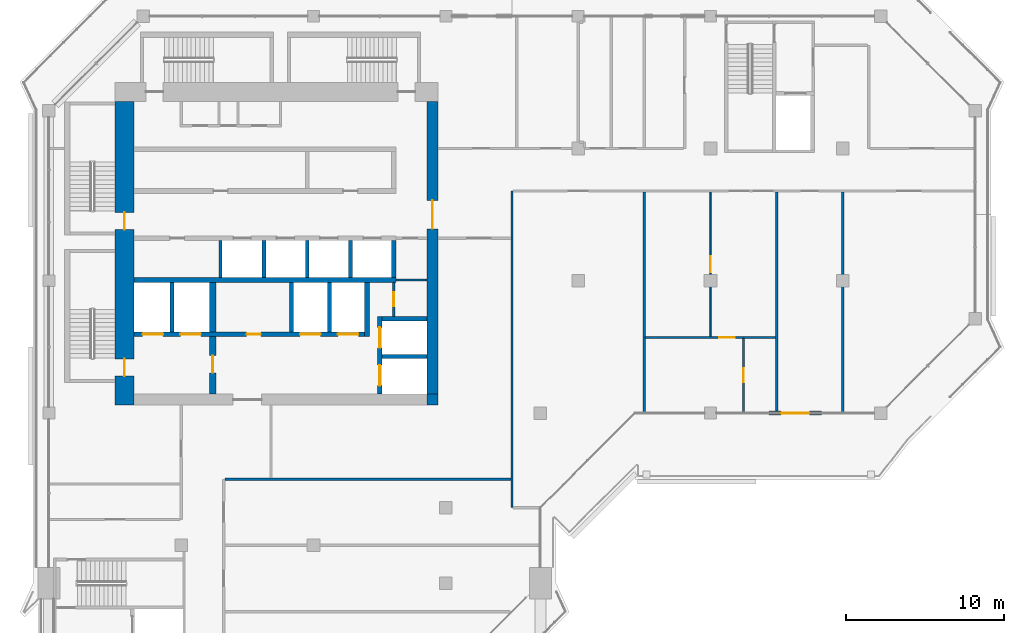
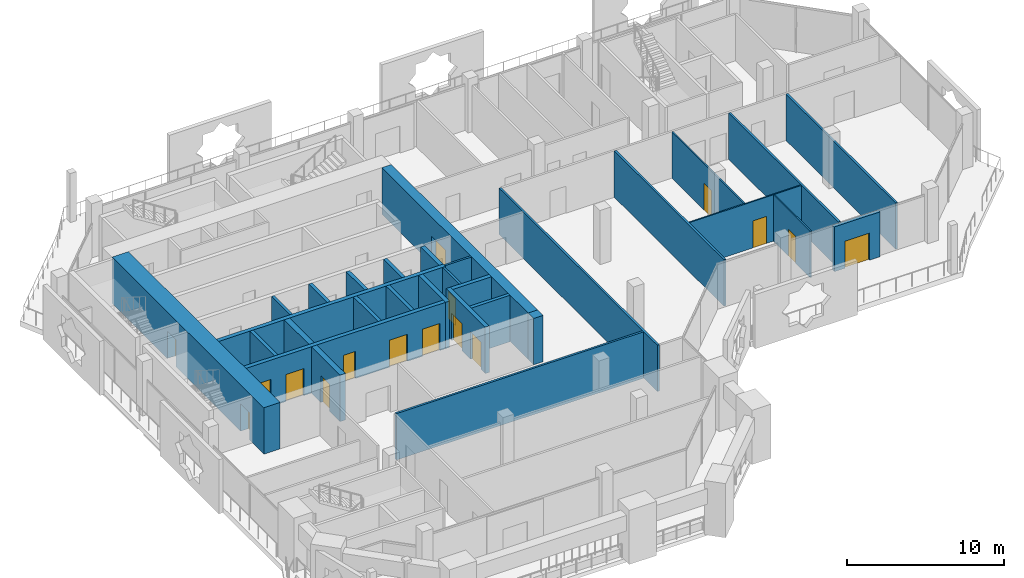
# One storey, part 11 of 20: 30 walls, 16 doors, 16 openings.
"""IFC4 building model written with IfcOpenShell, lengths in metres."""

from ifc_helpers import new_model, si_unit, direction, frame, frame_2d, origin, place, context, subcontext, project, spatial, rectangle, extrude, material, layer, layer_set, type_object, element, fill, save


model = new_model("IFC4")

# Units and contexts
model_context = context("Model", 3, precision=1e-05, world=origin(), true_north=direction((0.0, 1.0)))
body_context = subcontext(model_context, "Body", "Model", "MODEL_VIEW")
ifc_project = project(units=[si_unit("LENGTHUNIT", "METRE"), si_unit("AREAUNIT", "SQUARE_METRE"), si_unit("VOLUMEUNIT", "CUBIC_METRE"), si_unit("PLANEANGLEUNIT", "RADIAN"), si_unit("MASSUNIT", "GRAM", prefix="KILO")], contexts=[model_context])

# Site, building, storey
site_placement = place(None, origin())
site = spatial("IfcSite", under=ifc_project, at=site_placement, CompositionType="ELEMENT")
building_placement = place(site_placement, origin())
building = spatial("IfcBuilding", under=site, at=building_placement, Name="Kawkab Arch Medical Tower", CompositionType="ELEMENT")
storey_placement = place(building_placement, frame((0.0, 0.0, 290.199951171875)))
storey = spatial("IfcBuildingStorey", under=building, at=storey_placement, Name="L67", CompositionType="ELEMENT", Elevation=290.199951171875)

# Wall, openings, doors
ifc_material_1 = material(Name="Concrete C50/60", Category="concrete")
ifc_layer_1 = layer(ifc_material_1, 1.199951171875)
ifc_layer_set_1 = layer_set([ifc_layer_1], Name="Concrete C50/60")
wall_type_1 = type_object("IfcWallType", Name="Core ring wall 1200 C50/60", PredefinedType="SHEAR", material=ifc_layer_set_1)
wall_1_placement = place(storey_placement, frame((4.800048828125, -24.699951171875, 0.0), z_axis=(0.0, 0.0, 1.0), x_axis=(0.0, 1.0, 0.0)))
wall_1 = element("IfcWall", 1, at=wall_1_placement, inside=storey, type_object=wall_type_1, Name="L67 core wall", PredefinedType="SHEAR", context=body_context, shape_type="SweptSolid", body=[
    extrude(rectangle(XDim=19.300048828125, YDim=1.199951171875, at=frame_2d((9.64990234375, 0.0))), origin(), (0.0, 0.0, 1.0), 3.60009765625),
])
opening_1_placement = place(wall_1_placement, frame((11.14990234375, 0.0, 0.0)))
opening_1 = element("IfcOpeningElement", 2, at=opening_1_placement, cuts=wall_1, Name="Opening SD", PredefinedType="OPENING", context=body_context, shape_type="SweptSolid", body=[
    extrude(rectangle(XDim=1.10009765625, YDim=2.10009765625, at=frame_2d((0.550048828125, 1.050048828125))), frame((0.0, 0.60986328125, 0.0), z_axis=(0.0, -1.0, 0.0), x_axis=(1.0, 0.0, 0.0)), (0.0, 0.0, 1.0), 1.219970703125),
])
opening_2_placement = place(wall_1_placement, frame((1.85009765625, 0.0, 0.0)))
opening_2 = element("IfcOpeningElement", 3, at=opening_2_placement, cuts=wall_1, Name="Opening SD", PredefinedType="OPENING", context=body_context, shape_type="SweptSolid", body=[
    extrude(rectangle(XDim=1.10009765625, YDim=2.10009765625, at=frame_2d((0.550048828125, 1.050048828125))), frame((0.0, 0.60986328125, 0.0), z_axis=(0.0, -1.0, 0.0), x_axis=(1.0, 0.0, 0.0)), (0.0, 0.0, 1.0), 1.219970703125),
])
ifc_material_2 = material(Name="Hollow metal fire door leaf")
door_type_1 = type_object("IfcDoorType", Name="Exit stair door 1100", OperationType="SINGLE_SWING_LEFT", PredefinedType="DOOR", material=ifc_material_2)
door_1_placement = place(opening_1_placement, origin())
door_1 = element("IfcDoor", 4, at=door_1_placement, inside=storey, type_object=door_type_1, Name="L67 Exit stair ST1 door", OperationType="SINGLE_SWING_LEFT", OverallHeight=2.10009765625, OverallWidth=1.10009765625, PredefinedType="DOOR", context=body_context, shape_type="SweptSolid", body=[
    extrude(rectangle(XDim=1.10009765625, YDim=2.10009765625, at=frame_2d((0.550048828125, 1.050048828125))), frame((0.0, 0.02490234375, 0.0), z_axis=(0.0, -1.0, 0.0), x_axis=(1.0, 0.0, 0.0)), (0.0, 0.0, 1.0), 0.050048828125),
])
fill(opening_1, door_1)
door_2_placement = place(opening_2_placement, origin())
door_2 = element("IfcDoor", 5, at=door_2_placement, inside=storey, type_object=door_type_1, Name="L67 Exit stair ST2 door", OperationType="SINGLE_SWING_LEFT", OverallHeight=2.10009765625, OverallWidth=1.10009765625, PredefinedType="DOOR", context=body_context, shape_type="SweptSolid", body=[
    extrude(rectangle(XDim=1.10009765625, YDim=2.10009765625, at=frame_2d((0.550048828125, 1.050048828125))), frame((0.0, 0.02490234375, 0.0), z_axis=(0.0, -1.0, 0.0), x_axis=(1.0, 0.0, 0.0)), (0.0, 0.0, 1.0), 0.050048828125),
])
fill(opening_2, door_2)

# Wall, opening, door
ifc_material_3 = material(Name="Concrete C50/60", Category="concrete")
ifc_layer_2 = layer(ifc_material_3, 0.699951171875)
ifc_layer_set_2 = layer_set([ifc_layer_2], Name="Concrete C50/60")
wall_type_2 = type_object("IfcWallType", Name="Core ring wall 700 C50/60", PredefinedType="SHEAR", material=ifc_layer_set_2)
wall_2_placement = place(storey_placement, frame((24.35009765625, -24.0, 0.0), z_axis=(0.0, 0.0, 1.0), x_axis=(0.0, 1.0, 0.0)))
wall_2 = element("IfcWall", 6, at=wall_2_placement, inside=storey, type_object=wall_type_2, Name="L67 core wall", PredefinedType="SHEAR", context=body_context, shape_type="SweptSolid", body=[
    extrude(rectangle(XDim=18.60009765625, YDim=0.699951171875, at=frame_2d((9.300048828125, 0.0))), origin(), (0.0, 0.0, 1.0), 3.60009765625),
])
opening_3_placement = place(wall_2_placement, frame((10.5, 0.0, 0.0)))
opening_3 = element("IfcOpeningElement", 7, at=opening_3_placement, cuts=wall_2, Name="Opening PD", PredefinedType="OPENING", context=body_context, shape_type="SweptSolid", body=[
    extrude(rectangle(XDim=1.800048828125, YDim=2.10009765625, at=frame_2d((0.89990234375, 1.050048828125))), frame((0.0, 0.35986328125, 0.0), z_axis=(0.0, -1.0, 0.0), x_axis=(1.0, 0.0, 0.0)), (0.0, 0.0, 1.0), 0.719970703125),
])
ifc_material_4 = material(Name="Hollow metal fire door leaf")
door_type_2 = type_object("IfcDoorType", Name="Core entrance doors 1800", OperationType="DOUBLE_DOOR_SINGLE_SWING", PredefinedType="DOOR", material=ifc_material_4)
door_3_placement = place(opening_3_placement, origin())
door_3 = element("IfcDoor", 8, at=door_3_placement, inside=storey, type_object=door_type_2, Name="L67 East entrance doors", OperationType="DOUBLE_DOOR_SINGLE_SWING", OverallHeight=2.10009765625, OverallWidth=1.800048828125, PredefinedType="DOOR", context=body_context, shape_type="SweptSolid", body=[
    extrude(rectangle(XDim=1.800048828125, YDim=2.10009765625, at=frame_2d((0.89990234375, 1.050048828125))), frame((0.0, 0.02490234375, 0.0), z_axis=(0.0, -1.0, 0.0), x_axis=(1.0, 0.0, 0.0)), (0.0, 0.0, 1.0), 0.050048828125),
])
fill(opening_3, door_3)

# Wall
wall_3_placement = place(storey_placement, frame((24.35009765625, -24.699951171875, 0.0), z_axis=(0.0, 0.0, 1.0), x_axis=(0.0, 1.0, 0.0)))
element("IfcWall", 9, at=wall_3_placement, inside=storey, type_object=wall_type_2, Name="L67 core wall", PredefinedType="SHEAR", context=body_context, shape_type="SweptSolid", body=[
    extrude(rectangle(XDim=0.699951171875, YDim=0.699951171875, at=frame_2d((0.35009765625, 0.0))), origin(), (0.0, 0.0, 1.0), 3.60009765625),
])

# Wall, opening, door
ifc_material_5 = material(Name="Gypsum board on steel studs", Category="steel")
ifc_layer_3 = layer(ifc_material_5, 0.14990234375)
ifc_layer_set_3 = layer_set([ifc_layer_3], Name="Gypsum board on steel studs")
wall_type_3 = type_object("IfcWallType", Name="Core room partition 150", PredefinedType="PARTITIONING", material=ifc_layer_set_3)
wall_4_placement = place(storey_placement, frame((21.89990234375, -19.050048828125, 0.0), z_axis=(0.0, 0.0, 1.0), x_axis=(0.0, 1.0, 0.0)))
wall_4 = element("IfcWall", 10, at=wall_4_placement, inside=storey, type_object=wall_type_3, Name="L67 core room partition", PredefinedType="PARTITIONING", context=body_context, shape_type="SweptSolid", body=[
    extrude(rectangle(XDim=2.150146484375, YDim=0.14990234375, at=frame_2d((1.0751953125, 0.0))), origin(), (0.0, 0.0, 1.0), 3.60009765625),
])
opening_4_placement = place(wall_4_placement, frame((0.625, 0.0, 0.0)))
opening_4 = element("IfcOpeningElement", 11, at=opening_4_placement, cuts=wall_4, Name="Opening RD", PredefinedType="OPENING", context=body_context, shape_type="SweptSolid", body=[
    extrude(rectangle(XDim=0.89990234375, YDim=2.10009765625, at=frame_2d((0.449951171875, 1.050048828125))), frame((0.0, 0.0849609375, 0.0), z_axis=(0.0, -1.0, 0.0), x_axis=(1.0, 0.0, 0.0)), (0.0, 0.0, 1.0), 0.169921875),
])
ifc_material_6 = material(Name="Hollow metal fire door leaf")
door_type_3 = type_object("IfcDoorType", Name="Core room door 900", OperationType="SINGLE_SWING_LEFT", PredefinedType="DOOR", material=ifc_material_6)
door_4_placement = place(opening_4_placement, origin())
door_4 = element("IfcDoor", 12, at=door_4_placement, inside=storey, type_object=door_type_3, Name="L67 Accessible WC door", OperationType="SINGLE_SWING_LEFT", OverallHeight=2.10009765625, OverallWidth=0.89990234375, PredefinedType="DOOR", context=body_context, shape_type="SweptSolid", body=[
    extrude(rectangle(XDim=0.89990234375, YDim=2.10009765625, at=frame_2d((0.449951171875, 1.050048828125))), frame((0.0, 0.02490234375, 0.0), z_axis=(0.0, -1.0, 0.0), x_axis=(1.0, 0.0, 0.0)), (0.0, 0.0, 1.0), 0.050048828125),
])
fill(opening_4, door_4)

# Walls
wall_5_placement = place(storey_placement, frame((22.050048828125, -16.75, 0.0), z_axis=(0.0, 0.0, 1.0), x_axis=(1.0, 0.0, 0.0)))
element("IfcWall", 13, at=wall_5_placement, inside=storey, type_object=wall_type_3, Name="L67 core room partition", PredefinedType="PARTITIONING", context=body_context, shape_type="SweptSolid", body=[
    extrude(rectangle(XDim=1.949951171875, YDim=0.14990234375, at=frame_2d((0.97509765625, 0.0))), origin(), (0.0, 0.0, 1.0), 3.60009765625),
])
ifc_material_7 = material(Name="Concrete C60/75", Category="concrete")
ifc_layer_4 = layer(ifc_material_7, 0.25)
ifc_layer_set_4 = layer_set([ifc_layer_4], Name="Concrete C60/75")
wall_type_4 = type_object("IfcWallType", Name="Core shear wall 250 C60/75", PredefinedType="SHEAR", material=ifc_layer_set_4)
wall_6_placement = place(storey_placement, frame((21.14990234375, -21.60009765625, 0.0), z_axis=(0.0, 0.0, 1.0), x_axis=(1.0, 0.0, 0.0)))
element("IfcWall", 14, at=wall_6_placement, inside=storey, type_object=wall_type_4, Name="L67 core shear wall", PredefinedType="SHEAR", context=body_context, shape_type="SweptSolid", body=[
    extrude(rectangle(XDim=2.85009765625, YDim=0.25, at=frame_2d((1.425048828125, 0.0))), origin(), (0.0, 0.0, 1.0), 3.60009765625),
])
for number, where, z_axis, x_axis, name in (
    (15, (7.800048828125, -20.050048828125, 0.0), (0.0, 0.0, 1.0), (0.0, 1.0, 0.0), "L67 core shear wall"),
    (16, (15.39990234375, -20.050048828125, 0.0), (0.0, 0.0, 1.0), (0.0, 1.0, 0.0), "L67 core shear wall"),
    (17, (17.800048828125, -20.050048828125, 0.0), (0.0, 0.0, 1.0), (0.0, 1.0, 0.0), "L67 core shear wall"),
):
    element("IfcWall", number, at=place(storey_placement, frame(where, z_axis=z_axis, x_axis=x_axis)), inside=storey, type_object=wall_type_4, Name=name, PredefinedType="SHEAR", context=body_context, shape_type="SweptSolid", body=[
        extrude(rectangle(XDim=3.150146484375, YDim=0.25, at=frame_2d((1.5751953125, 0.0))), origin(), (0.0, 0.0, 1.0), 3.60009765625),
    ])
for number, where, z_axis, x_axis, name in (
    (18, (13.64990234375, -16.60009765625, 0.0), (0.0, 0.0, 1.0), (0.0, 1.0, 0.0), "L67 core shear wall"),
    (19, (16.39990234375, -16.60009765625, 0.0), (0.0, 0.0, 1.0), (0.0, 1.0, 0.0), "L67 core shear wall"),
    (20, (19.14990234375, -16.60009765625, 0.0), (0.0, 0.0, 1.0), (0.0, 1.0, 0.0), "L67 core shear wall"),
):
    element("IfcWall", number, at=place(storey_placement, frame(where, z_axis=z_axis, x_axis=x_axis)), inside=storey, type_object=wall_type_4, Name=name, PredefinedType="SHEAR", context=body_context, shape_type="SweptSolid", body=[
        extrude(rectangle(XDim=2.35009765625, YDim=0.25, at=frame_2d((1.175048828125, 0.0))), origin(), (0.0, 0.0, 1.0), 3.60009765625),
    ])
ifc_material_8 = material(Name="Concrete C60/75", Category="concrete")
ifc_layer_5 = layer(ifc_material_8, 0.300048828125)
ifc_layer_set_5 = layer_set([ifc_layer_5], Name="Concrete C60/75")
wall_type_5 = type_object("IfcWallType", Name="Core shear wall 300 C60/75", PredefinedType="SHEAR", material=ifc_layer_set_5)
wall_7_placement = place(storey_placement, frame((5.39990234375, -16.75, 0.0), z_axis=(0.0, 0.0, 1.0), x_axis=(1.0, 0.0, 0.0)))
element("IfcWall", 21, at=wall_7_placement, inside=storey, type_object=wall_type_5, Name="L67 core shear wall", PredefinedType="SHEAR", context=body_context, shape_type="SweptSolid", body=[
    extrude(rectangle(XDim=16.650146484375, YDim=0.300048828125, at=frame_2d((8.3251953125, 0.0))), origin(), (0.0, 0.0, 1.0), 3.60009765625),
])

# Wall, openings, doors
wall_8_placement = place(storey_placement, frame((5.39990234375, -20.199951171875, 0.0), z_axis=(0.0, 0.0, 1.0), x_axis=(1.0, 0.0, 0.0)))
wall_8 = element("IfcWall", 22, at=wall_8_placement, inside=storey, type_object=wall_type_5, Name="L67 core shear wall", PredefinedType="SHEAR", context=body_context, shape_type="SweptSolid", body=[
    extrude(rectangle(XDim=14.650146484375, YDim=0.300048828125, at=frame_2d((7.3251953125, 0.0))), origin(), (0.0, 0.0, 1.0), 3.60009765625),
])
opening_5_placement = place(wall_8_placement, frame((10.550048828125, 0.0, 0.0)))
opening_5 = element("IfcOpeningElement", 23, at=opening_5_placement, cuts=wall_8, Name="Opening LD2", PredefinedType="OPENING", context=body_context, shape_type="SweptSolid", body=[
    extrude(rectangle(XDim=1.300048828125, YDim=2.10009765625, at=frame_2d((0.64990234375, 1.050048828125))), frame((0.0, 0.159912109375, 0.0), z_axis=(0.0, -1.0, 0.0), x_axis=(1.0, 0.0, 0.0)), (0.0, 0.0, 1.0), 0.320068359375),
])
opening_6_placement = place(wall_8_placement, frame((12.949951171875, 0.0, 0.0)))
opening_6 = element("IfcOpeningElement", 24, at=opening_6_placement, cuts=wall_8, Name="Opening LD2", PredefinedType="OPENING", context=body_context, shape_type="SweptSolid", body=[
    extrude(rectangle(XDim=1.300048828125, YDim=2.10009765625, at=frame_2d((0.64990234375, 1.050048828125))), frame((0.0, 0.159912109375, 0.0), z_axis=(0.0, -1.0, 0.0), x_axis=(1.0, 0.0, 0.0)), (0.0, 0.0, 1.0), 0.320068359375),
])
opening_7_placement = place(wall_8_placement, frame((0.550048828125, 0.0, 0.0)))
opening_7 = element("IfcOpeningElement", 25, at=opening_7_placement, cuts=wall_8, Name="Opening LD2", PredefinedType="OPENING", context=body_context, shape_type="SweptSolid", body=[
    extrude(rectangle(XDim=1.300048828125, YDim=2.10009765625, at=frame_2d((0.64990234375, 1.050048828125))), frame((0.0, 0.159912109375, 0.0), z_axis=(0.0, -1.0, 0.0), x_axis=(1.0, 0.0, 0.0)), (0.0, 0.0, 1.0), 0.320068359375),
])
opening_8_placement = place(wall_8_placement, frame((2.949951171875, 0.0, 0.0)))
opening_8 = element("IfcOpeningElement", 26, at=opening_8_placement, cuts=wall_8, Name="Opening LD2", PredefinedType="OPENING", context=body_context, shape_type="SweptSolid", body=[
    extrude(rectangle(XDim=1.300048828125, YDim=2.10009765625, at=frame_2d((0.64990234375, 1.050048828125))), frame((0.0, 0.159912109375, 0.0), z_axis=(0.0, -1.0, 0.0), x_axis=(1.0, 0.0, 0.0)), (0.0, 0.0, 1.0), 0.320068359375),
])
opening_9_placement = place(wall_8_placement, frame((7.14990234375, 0.0, 0.0)))
opening_9 = element("IfcOpeningElement", 27, at=opening_9_placement, cuts=wall_8, Name="Opening RD", PredefinedType="OPENING", context=body_context, shape_type="SweptSolid", body=[
    extrude(rectangle(XDim=0.89990234375, YDim=2.10009765625, at=frame_2d((0.449951171875, 1.050048828125))), frame((0.0, 0.159912109375, 0.0), z_axis=(0.0, -1.0, 0.0), x_axis=(1.0, 0.0, 0.0)), (0.0, 0.0, 1.0), 0.320068359375),
])
door_5_placement = place(opening_9_placement, origin())
door_5 = element("IfcDoor", 28, at=door_5_placement, inside=storey, type_object=door_type_3, Name="L67 Linen store door", OperationType="SINGLE_SWING_LEFT", OverallHeight=2.10009765625, OverallWidth=0.89990234375, PredefinedType="DOOR", context=body_context, shape_type="SweptSolid", body=[
    extrude(rectangle(XDim=0.89990234375, YDim=2.10009765625, at=frame_2d((0.449951171875, 1.050048828125))), frame((0.0, 0.02490234375, 0.0), z_axis=(0.0, -1.0, 0.0), x_axis=(1.0, 0.0, 0.0)), (0.0, 0.0, 1.0), 0.050048828125),
])
fill(opening_9, door_5)
ifc_material_9 = material(Name="Stainless steel lift door leaf", Category="steel")
door_type_4 = type_object("IfcDoorType", Name="Lift landing door 1300", OperationType="DOUBLE_DOOR_SLIDING", PredefinedType="DOOR", material=ifc_material_9)
door_6_placement = place(opening_5_placement, origin())
door_6 = element("IfcDoor", 29, at=door_6_placement, inside=storey, type_object=door_type_4, Name="L67 Lift landing door BD3", OperationType="DOUBLE_DOOR_SLIDING", OverallHeight=2.10009765625, OverallWidth=1.300048828125, PredefinedType="DOOR", context=body_context, shape_type="SweptSolid", body=[
    extrude(rectangle(XDim=1.300048828125, YDim=2.10009765625, at=frame_2d((0.64990234375, 1.050048828125))), frame((0.0, 0.02490234375, 0.0), z_axis=(0.0, -1.0, 0.0), x_axis=(1.0, 0.0, 0.0)), (0.0, 0.0, 1.0), 0.050048828125),
])
fill(opening_5, door_6)
door_7_placement = place(opening_6_placement, origin())
door_7 = element("IfcDoor", 30, at=door_7_placement, inside=storey, type_object=door_type_4, Name="L67 Lift landing door BD4", OperationType="DOUBLE_DOOR_SLIDING", OverallHeight=2.10009765625, OverallWidth=1.300048828125, PredefinedType="DOOR", context=body_context, shape_type="SweptSolid", body=[
    extrude(rectangle(XDim=1.300048828125, YDim=2.10009765625, at=frame_2d((0.64990234375, 1.050048828125))), frame((0.0, 0.02490234375, 0.0), z_axis=(0.0, -1.0, 0.0), x_axis=(1.0, 0.0, 0.0)), (0.0, 0.0, 1.0), 0.050048828125),
])
fill(opening_6, door_7)
door_8_placement = place(opening_7_placement, origin())
door_8 = element("IfcDoor", 31, at=door_8_placement, inside=storey, type_object=door_type_4, Name="L67 Lift landing door FL1", OperationType="DOUBLE_DOOR_SLIDING", OverallHeight=2.10009765625, OverallWidth=1.300048828125, PredefinedType="DOOR", context=body_context, shape_type="SweptSolid", body=[
    extrude(rectangle(XDim=1.300048828125, YDim=2.10009765625, at=frame_2d((0.64990234375, 1.050048828125))), frame((0.0, 0.02490234375, 0.0), z_axis=(0.0, -1.0, 0.0), x_axis=(1.0, 0.0, 0.0)), (0.0, 0.0, 1.0), 0.050048828125),
])
fill(opening_7, door_8)
door_9_placement = place(opening_8_placement, origin())
door_9 = element("IfcDoor", 32, at=door_9_placement, inside=storey, type_object=door_type_4, Name="L67 Lift landing door FL2", OperationType="DOUBLE_DOOR_SLIDING", OverallHeight=2.10009765625, OverallWidth=1.300048828125, PredefinedType="DOOR", context=body_context, shape_type="SweptSolid", body=[
    extrude(rectangle(XDim=1.300048828125, YDim=2.10009765625, at=frame_2d((0.64990234375, 1.050048828125))), frame((0.0, 0.02490234375, 0.0), z_axis=(0.0, -1.0, 0.0), x_axis=(1.0, 0.0, 0.0)), (0.0, 0.0, 1.0), 0.050048828125),
])
fill(opening_8, door_9)

# Walls
wall_9_placement = place(storey_placement, frame((20.199951171875, -20.35009765625, 0.0), z_axis=(0.0, 0.0, 1.0), x_axis=(0.0, 1.0, 0.0)))
element("IfcWall", 33, at=wall_9_placement, inside=storey, type_object=wall_type_5, Name="L67 core shear wall", PredefinedType="SHEAR", context=body_context, shape_type="SweptSolid", body=[
    extrude(rectangle(XDim=3.4501953125, YDim=0.300048828125, at=frame_2d((1.72509765625, 0.0))), origin(), (0.0, 0.0, 1.0), 3.60009765625),
])
wall_10_placement = place(storey_placement, frame((21.89990234375, -16.60009765625, 0.0), z_axis=(0.0, 0.0, 1.0), x_axis=(0.0, 1.0, 0.0)))
element("IfcWall", 34, at=wall_10_placement, inside=storey, type_object=wall_type_5, Name="L67 core shear wall", PredefinedType="SHEAR", context=body_context, shape_type="SweptSolid", body=[
    extrude(rectangle(XDim=2.35009765625, YDim=0.300048828125, at=frame_2d((1.175048828125, 0.0))), origin(), (0.0, 0.0, 1.0), 3.60009765625),
])
wall_11_placement = place(storey_placement, frame((21.14990234375, -19.199951171875, 0.0), z_axis=(0.0, 0.0, 1.0), x_axis=(1.0, 0.0, 0.0)))
element("IfcWall", 35, at=wall_11_placement, inside=storey, type_object=wall_type_5, Name="L67 core shear wall", PredefinedType="SHEAR", context=body_context, shape_type="SweptSolid", body=[
    extrude(rectangle(XDim=2.85009765625, YDim=0.300048828125, at=frame_2d((1.425048828125, 0.0))), origin(), (0.0, 0.0, 1.0), 3.60009765625),
])

# Wall, openings, doors
wall_12_placement = place(storey_placement, frame((21.0, -24.0, 0.0), z_axis=(0.0, 0.0, 1.0), x_axis=(0.0, 1.0, 0.0)))
wall_12 = element("IfcWall", 36, at=wall_12_placement, inside=storey, type_object=wall_type_5, Name="L67 core shear wall", PredefinedType="SHEAR", context=body_context, shape_type="SweptSolid", body=[
    extrude(rectangle(XDim=4.949951171875, YDim=0.300048828125, at=frame_2d((2.47509765625, 0.0))), origin(), (0.0, 0.0, 1.0), 3.60009765625),
])
opening_10_placement = place(wall_12_placement, frame((2.949951171875, 0.0, 0.0)))
opening_10 = element("IfcOpeningElement", 37, at=opening_10_placement, cuts=wall_12, Name="Opening LD2", PredefinedType="OPENING", context=body_context, shape_type="SweptSolid", body=[
    extrude(rectangle(XDim=1.300048828125, YDim=2.10009765625, at=frame_2d((0.64990234375, 1.050048828125))), frame((0.0, 0.159912109375, 0.0), z_axis=(0.0, -1.0, 0.0), x_axis=(1.0, 0.0, 0.0)), (0.0, 0.0, 1.0), 0.320068359375),
])
opening_11_placement = place(wall_12_placement, frame((0.550048828125, 0.0, 0.0)))
opening_11 = element("IfcOpeningElement", 38, at=opening_11_placement, cuts=wall_12, Name="Opening LD2", PredefinedType="OPENING", context=body_context, shape_type="SweptSolid", body=[
    extrude(rectangle(XDim=1.300048828125, YDim=2.10009765625, at=frame_2d((0.64990234375, 1.050048828125))), frame((0.0, 0.159912109375, 0.0), z_axis=(0.0, -1.0, 0.0), x_axis=(1.0, 0.0, 0.0)), (0.0, 0.0, 1.0), 0.320068359375),
])
door_10_placement = place(opening_10_placement, origin())
door_10 = element("IfcDoor", 39, at=door_10_placement, inside=storey, type_object=door_type_4, Name="L67 Lift landing door BD1", OperationType="DOUBLE_DOOR_SLIDING", OverallHeight=2.10009765625, OverallWidth=1.300048828125, PredefinedType="DOOR", context=body_context, shape_type="SweptSolid", body=[
    extrude(rectangle(XDim=1.300048828125, YDim=2.10009765625, at=frame_2d((0.64990234375, 1.050048828125))), frame((0.0, 0.02490234375, 0.0), z_axis=(0.0, -1.0, 0.0), x_axis=(1.0, 0.0, 0.0)), (0.0, 0.0, 1.0), 0.050048828125),
])
fill(opening_10, door_10)
door_11_placement = place(opening_11_placement, origin())
door_11 = element("IfcDoor", 40, at=door_11_placement, inside=storey, type_object=door_type_4, Name="L67 Lift landing door BD2", OperationType="DOUBLE_DOOR_SLIDING", OverallHeight=2.10009765625, OverallWidth=1.300048828125, PredefinedType="DOOR", context=body_context, shape_type="SweptSolid", body=[
    extrude(rectangle(XDim=1.300048828125, YDim=2.10009765625, at=frame_2d((0.64990234375, 1.050048828125))), frame((0.0, 0.02490234375, 0.0), z_axis=(0.0, -1.0, 0.0), x_axis=(1.0, 0.0, 0.0)), (0.0, 0.0, 1.0), 0.050048828125),
])
fill(opening_11, door_11)

# Wall, opening, door
ifc_material_10 = material(Name="Concrete C60/75", Category="concrete")
ifc_layer_6 = layer(ifc_material_10, 0.39990234375)
ifc_layer_set_6 = layer_set([ifc_layer_6], Name="Concrete C60/75")
wall_type_6 = type_object("IfcWallType", Name="Core shear wall 400 C60/75", PredefinedType="SHEAR", material=ifc_layer_set_6)
wall_13_placement = place(storey_placement, frame((10.39990234375, -24.0, 0.0), z_axis=(0.0, 0.0, 1.0), x_axis=(0.0, 1.0, 0.0)))
wall_13 = element("IfcWall", 41, at=wall_13_placement, inside=storey, type_object=wall_type_6, Name="L67 core shear wall", PredefinedType="SHEAR", context=body_context, shape_type="SweptSolid", body=[
    extrude(rectangle(XDim=3.64990234375, YDim=0.39990234375, at=frame_2d((1.824951171875, 0.0))), origin(), (0.0, 0.0, 1.0), 3.60009765625),
])
opening_12_placement = place(wall_13_placement, frame((1.35009765625, 0.0, 0.0)))
opening_12 = element("IfcOpeningElement", 42, at=opening_12_placement, cuts=wall_13, Name="Opening FD", PredefinedType="OPENING", context=body_context, shape_type="SweptSolid", body=[
    extrude(rectangle(XDim=1.10009765625, YDim=2.10009765625, at=frame_2d((0.550048828125, 1.050048828125))), frame((0.0, 0.2099609375, 0.0), z_axis=(0.0, -1.0, 0.0), x_axis=(1.0, 0.0, 0.0)), (0.0, 0.0, 1.0), 0.419921875),
])
ifc_material_11 = material(Name="Hollow metal fire door leaf")
door_type_5 = type_object("IfcDoorType", Name="Firefighting lobby door 1100", OperationType="SINGLE_SWING_LEFT", PredefinedType="DOOR", material=ifc_material_11)
door_12_placement = place(opening_12_placement, origin())
door_12 = element("IfcDoor", 43, at=door_12_placement, inside=storey, type_object=door_type_5, Name="L67 Firefighting lobby door", OperationType="SINGLE_SWING_LEFT", OverallHeight=2.10009765625, OverallWidth=1.10009765625, PredefinedType="DOOR", context=body_context, shape_type="SweptSolid", body=[
    extrude(rectangle(XDim=1.10009765625, YDim=2.10009765625, at=frame_2d((0.550048828125, 1.050048828125))), frame((0.0, 0.02490234375, 0.0), z_axis=(0.0, -1.0, 0.0), x_axis=(1.0, 0.0, 0.0)), (0.0, 0.0, 1.0), 0.050048828125),
])
fill(opening_12, door_12)

# Wall
wall_14_placement = place(storey_placement, frame((10.39990234375, -20.050048828125, 0.0), z_axis=(0.0, 0.0, 1.0), x_axis=(0.0, 1.0, 0.0)))
element("IfcWall", 44, at=wall_14_placement, inside=storey, type_object=wall_type_6, Name="L67 core shear wall", PredefinedType="SHEAR", context=body_context, shape_type="SweptSolid", body=[
    extrude(rectangle(XDim=3.150146484375, YDim=0.39990234375, at=frame_2d((1.5751953125, 0.0))), origin(), (0.0, 0.0, 1.0), 3.60009765625),
])

# Wall, opening, door
ifc_material_12 = material(Name="Bronze clad insulated wall panel")
ifc_layer_7 = layer(ifc_material_12, 0.25)
ifc_layer_set_7 = layer_set([ifc_layer_7], Name="Bronze clad insulated wall panel")
wall_type_7 = type_object("IfcWallType", Name="External wall bay 250", PredefinedType="SOLIDWALL", material=ifc_layer_set_7)
wall_15_placement = place(storey_placement, frame((45.716552734375, -25.199951171875, 0.0), z_axis=(0.0, 0.0, 1.0), x_axis=(1.0, 0.0, 0.0)))
wall_15 = element("IfcWall", 45, at=wall_15_placement, inside=storey, type_object=wall_type_7, Name="External wall bay L67.R11.2.2", PredefinedType="SOLIDWALL", context=body_context, shape_type="SweptSolid", body=[
    extrude(rectangle(XDim=3.341796875, YDim=0.25, at=frame_2d((1.6708984375, 0.0))), origin(), (0.0, 0.0, 1.0), 3.47998046875),
])
opening_13_placement = place(wall_15_placement, frame((0.770751953125, 0.0, 0.0)))
opening_13 = element("IfcOpeningElement", 46, at=opening_13_placement, cuts=wall_15, Name="Opening W67-701", PredefinedType="OPENING", context=body_context, shape_type="SweptSolid", body=[
    extrude(rectangle(XDim=1.800048828125, YDim=2.10009765625, at=frame_2d((0.89990234375, 1.050048828125))), frame((0.0, 0.135009765625, 0.0), z_axis=(0.0, -1.0, 0.0), x_axis=(1.0, 0.0, 0.0)), (0.0, 0.0, 1.0), 0.27001953125),
])
ifc_material_13 = material(Name="Bronze anodised aluminium door with tinted glass", Category="aluminium")
door_type_6 = type_object("IfcDoorType", Name="Double external door 1800 x 2100", OperationType="DOUBLE_DOOR_SINGLE_SWING", PredefinedType="DOOR", material=ifc_material_13)
door_13_placement = place(opening_13_placement, origin())
door_13 = element("IfcDoor", 47, at=door_13_placement, inside=storey, type_object=door_type_6, Name="External door L67.R11.2.2", OperationType="DOUBLE_DOOR_SINGLE_SWING", OverallHeight=2.10009765625, OverallWidth=1.800048828125, PredefinedType="DOOR", context=body_context, shape_type="SweptSolid", body=[
    extrude(rectangle(XDim=1.800048828125, YDim=2.10009765625, at=frame_2d((0.89990234375, 1.050048828125))), frame((0.0, 0.02490234375, 0.0), z_axis=(0.0, -1.0, 0.0), x_axis=(1.0, 0.0, 0.0)), (0.0, 0.0, 1.0), 0.050048828125),
])
fill(opening_13, door_13)

# Wall
ifc_material_14 = material(Name="Dense concrete blockwork", Category="masonry")
ifc_layer_8 = layer(ifc_material_14, 0.199951171875)
ifc_layer_set_8 = layer_set([ifc_layer_8], Name="Dense concrete blockwork")
wall_type_8 = type_object("IfcWallType", Name="Lift shaft partition 200", PredefinedType="PARTITIONING", material=ifc_layer_set_8)
wall_16_placement = place(storey_placement, frame((10.89990234375, -16.60009765625, 0.0), z_axis=(0.0, 0.0, 1.0), x_axis=(0.0, 1.0, 0.0)))
element("IfcWall", 48, at=wall_16_placement, inside=storey, type_object=wall_type_8, Name="L67 lift shaft partition", PredefinedType="PARTITIONING", context=body_context, shape_type="SweptSolid", body=[
    extrude(rectangle(XDim=2.35009765625, YDim=0.199951171875, at=frame_2d((1.175048828125, 0.0))), origin(), (0.0, 0.0, 1.0), 3.60009765625),
])

# Wall, opening, door
ifc_material_15 = material(Name="Gypsum board partition on steel studs", Category="steel")
ifc_layer_9 = layer(ifc_material_15, 0.10009765625)
ifc_layer_set_9 = layer_set([ifc_layer_9], Name="Gypsum board partition on steel studs")
wall_type_9 = type_object("IfcWallType", Name="Partition 100", PredefinedType="PARTITIONING", material=ifc_layer_set_9)
wall_17_placement = place(storey_placement, frame((37.875, -20.39990234375, 0.0), z_axis=(0.0, 0.0, 1.0), x_axis=(1.0, 0.0, 0.0)))
wall_17 = element("IfcWall", 49, at=wall_17_placement, inside=storey, type_object=wall_type_9, Name="Partition 100 w001", PredefinedType="PARTITIONING", context=body_context, shape_type="SweptSolid", body=[
    extrude(rectangle(XDim=8.25, YDim=0.10009765625, at=frame_2d((4.125, 0.0))), origin(), (0.0, 0.0, 1.0), 3.60009765625),
])
opening_14_placement = place(wall_17_placement, frame((4.675048828125, 0.0, 0.0)))
opening_14 = element("IfcOpeningElement", 50, at=opening_14_placement, cuts=wall_17, Name="Opening W67-006", PredefinedType="OPENING", context=body_context, shape_type="SweptSolid", body=[
    extrude(rectangle(XDim=1.0, YDim=2.10009765625, at=frame_2d((0.5, 1.050048828125))), frame((0.0, 0.06005859375, 0.0), z_axis=(0.0, -1.0, 0.0), x_axis=(1.0, 0.0, 0.0)), (0.0, 0.0, 1.0), 0.1201171875),
])
ifc_material_16 = material(Name="Timber door leaf", Category="wood")
door_type_7 = type_object("IfcDoorType", Name="Single door 1000x2100", OperationType="NOTDEFINED", PredefinedType="DOOR", material=ifc_material_16)
door_14_placement = place(opening_14_placement, origin())
door_14 = element("IfcDoor", 51, at=door_14_placement, inside=storey, type_object=door_type_7, Name="Door W67-006", OperationType="SINGLE_SWING_LEFT", OverallHeight=2.10009765625, OverallWidth=1.0, PredefinedType="DOOR", context=body_context, shape_type="SweptSolid", body=[
    extrude(rectangle(XDim=1.0, YDim=2.10009765625, at=frame_2d((0.5, 1.050048828125))), frame((0.0, 0.02490234375, 0.0), z_axis=(0.0, -1.0, 0.0), x_axis=(1.0, 0.0, 0.0)), (0.0, 0.0, 1.0), 0.050048828125),
])
fill(opening_14, door_14)

wall_18_placement = place(storey_placement, frame((42.0, -20.35009765625, 0.0), z_axis=(0.0, 0.0, 1.0), x_axis=(0.0, 1.0, 0.0)))
wall_18 = element("IfcWall", 52, at=wall_18_placement, inside=storey, type_object=wall_type_9, Name="Partition 100 w002", PredefinedType="PARTITIONING", context=body_context, shape_type="SweptSolid", body=[
    extrude(rectangle(XDim=9.175048828125, YDim=0.10009765625, at=frame_2d((4.58740234375, 0.0))), origin(), (0.0, 0.0, 1.0), 3.60009765625),
])
opening_15_placement = place(wall_18_placement, frame((4.10009765625, 0.0, 0.0)))
opening_15 = element("IfcOpeningElement", 53, at=opening_15_placement, cuts=wall_18, Name="Opening W67-007", PredefinedType="OPENING", context=body_context, shape_type="SweptSolid", body=[
    extrude(rectangle(XDim=1.0, YDim=2.10009765625, at=frame_2d((0.5, 1.050048828125))), frame((0.0, 0.06005859375, 0.0), z_axis=(0.0, -1.0, 0.0), x_axis=(1.0, 0.0, 0.0)), (0.0, 0.0, 1.0), 0.1201171875),
])
door_15_placement = place(opening_15_placement, origin())
door_15 = element("IfcDoor", 54, at=door_15_placement, inside=storey, type_object=door_type_7, Name="Door W67-007", OperationType="SINGLE_SWING_RIGHT", OverallHeight=2.10009765625, OverallWidth=1.0, PredefinedType="DOOR", context=body_context, shape_type="SweptSolid", body=[
    extrude(rectangle(XDim=1.0, YDim=2.10009765625, at=frame_2d((0.5, 1.050048828125))), frame((0.0, 0.02490234375, 0.0), z_axis=(0.0, -1.0, 0.0), x_axis=(1.0, 0.0, 0.0)), (0.0, 0.0, 1.0), 0.050048828125),
])
fill(opening_15, door_15)

wall_19_placement = place(storey_placement, frame((44.10009765625, -25.1201171875, 0.0), z_axis=(0.0, 0.0, 1.0), x_axis=(0.0, 1.0, 0.0)))
wall_19 = element("IfcWall", 55, at=wall_19_placement, inside=storey, type_object=wall_type_9, Name="Partition 100 w003", PredefinedType="PARTITIONING", context=body_context, shape_type="SweptSolid", body=[
    extrude(rectangle(XDim=4.670166015625, YDim=0.10009765625, at=frame_2d((2.3349609375, 0.0))), origin(), (0.0, 0.0, 1.0), 3.60009765625),
])
opening_16_placement = place(wall_19_placement, frame((1.8701171875, 0.0, 0.0)))
opening_16 = element("IfcOpeningElement", 56, at=opening_16_placement, cuts=wall_19, Name="Opening W67-004", PredefinedType="OPENING", context=body_context, shape_type="SweptSolid", body=[
    extrude(rectangle(XDim=0.89990234375, YDim=2.10009765625, at=frame_2d((0.449951171875, 1.050048828125))), frame((0.0, 0.06005859375, 0.0), z_axis=(0.0, -1.0, 0.0), x_axis=(1.0, 0.0, 0.0)), (0.0, 0.0, 1.0), 0.1201171875),
])
ifc_material_17 = material(Name="Timber door leaf", Category="wood")
door_type_8 = type_object("IfcDoorType", Name="Single door 900x2100", OperationType="NOTDEFINED", PredefinedType="DOOR", material=ifc_material_17)
door_16_placement = place(opening_16_placement, origin())
door_16 = element("IfcDoor", 57, at=door_16_placement, inside=storey, type_object=door_type_8, Name="Door W67-004", OperationType="SINGLE_SWING_RIGHT", OverallHeight=2.10009765625, OverallWidth=0.89990234375, PredefinedType="DOOR", context=body_context, shape_type="SweptSolid", body=[
    extrude(rectangle(XDim=0.89990234375, YDim=2.10009765625, at=frame_2d((0.449951171875, 1.050048828125))), frame((0.0, 0.02490234375, 0.0), z_axis=(0.0, -1.0, 0.0), x_axis=(1.0, 0.0, 0.0)), (0.0, 0.0, 1.0), 0.050048828125),
])
fill(opening_16, door_16)

# Walls
ifc_material_18 = material(Name="Gypsum board partition on steel studs, mineral wool", Category="steel")
ifc_layer_10 = layer(ifc_material_18, 0.14990234375)
ifc_layer_set_10 = layer_set([ifc_layer_10], Name="Gypsum board partition on steel studs, mineral wool")
wall_type_10 = type_object("IfcWallType", Name="Partition 150", PredefinedType="PARTITIONING", material=ifc_layer_set_10)
wall_20_placement = place(storey_placement, frame((11.175048828125, -29.39990234375, 0.0), z_axis=(0.0, 0.0, 1.0), x_axis=(1.0, 0.0, 0.0)))
element("IfcWall", 58, at=wall_20_placement, inside=storey, type_object=wall_type_10, Name="Partition 150 w009", PredefinedType="PARTITIONING", context=body_context, shape_type="SweptSolid", body=[
    extrude(rectangle(XDim=18.14990234375, YDim=0.14990234375, at=frame_2d((9.074951171875, 0.0))), origin(), (0.0, 0.0, 1.0), 3.60009765625),
])
wall_21_placement = place(storey_placement, frame((29.39990234375, -31.197998046875, 0.0), z_axis=(0.0, 0.0, 1.0), x_axis=(0.0, 1.0, 0.0)))
element("IfcWall", 59, at=wall_21_placement, inside=storey, type_object=wall_type_10, Name="Partition 150 w021", PredefinedType="PARTITIONING", context=body_context, shape_type="SweptSolid", body=[
    extrude(rectangle(XDim=20.097900390625, YDim=0.14990234375, at=frame_2d((10.048828125, 0.0))), origin(), (0.0, 0.0, 1.0), 3.60009765625),
])
for number, where, z_axis, x_axis, name in (
    (60, (37.800048828125, -25.1201171875, 0.0), (0.0, 0.0, 1.0), (0.0, 1.0, 0.0), "Partition 150 w027"),
    (61, (46.199951171875, -25.1201171875, 0.0), (0.0, 0.0, 1.0), (0.0, 1.0, 0.0), "Partition 150 w032"),
    (62, (50.39990234375, -25.1201171875, 0.0), (0.0, 0.0, 1.0), (0.0, 1.0, 0.0), "Partition 150 w033"),
):
    element("IfcWall", number, at=place(storey_placement, frame(where, z_axis=z_axis, x_axis=x_axis)), inside=storey, type_object=wall_type_10, Name=name, PredefinedType="PARTITIONING", context=body_context, shape_type="SweptSolid", body=[
        extrude(rectangle(XDim=13.945068359375, YDim=0.14990234375, at=frame_2d((6.97265625, 0.0))), origin(), (0.0, 0.0, 1.0), 3.60009765625),
    ])

save(model, "model.ifc")
